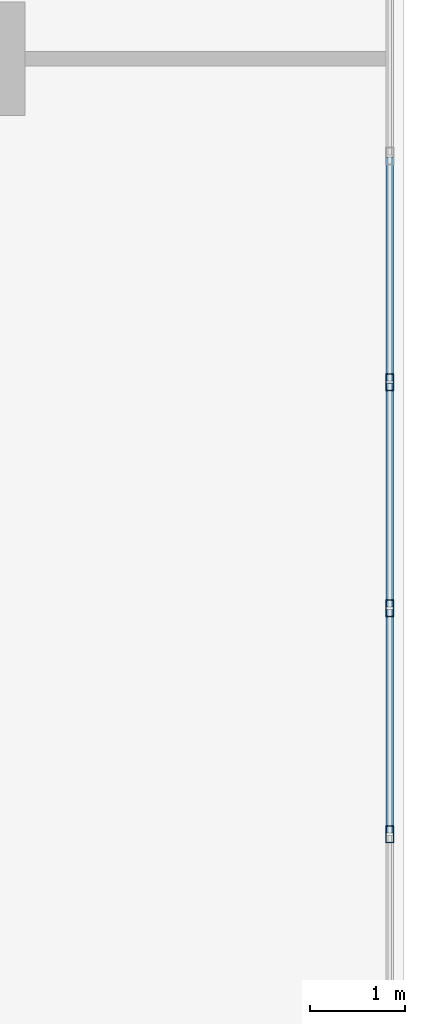
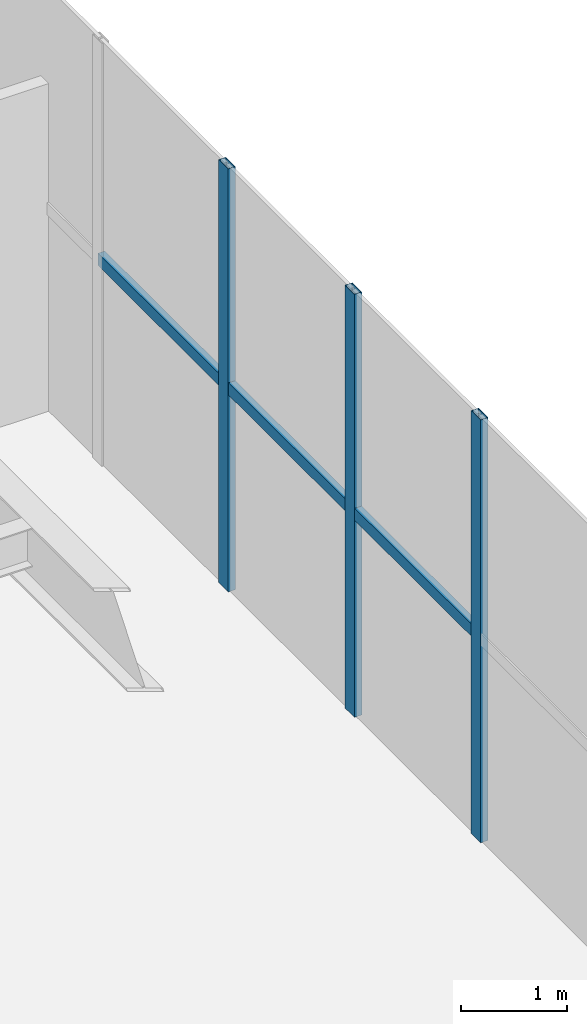
# One storey, part 24 of 40: 6 members, 1 element without a shape of its own.
"""IFC4 building model written with IfcOpenShell, lengths in metres."""

from ifc_helpers import new_model, si_unit, direction, frame, origin, origin_2d, place, context, subcontext, project, spatial, hollow_rectangle, extrude, source, transform, mapped, material, material_profile, profile_set, type_object, element, aggregate, save


model = new_model("IFC4")

# Units and contexts
model_context = context("Model", 3, precision=1e-05, world=origin(), true_north=direction((0.0, 1.0)))
body_context = subcontext(model_context, "Body", "Model", "MODEL_VIEW")
ifc_project = project(units=[si_unit("LENGTHUNIT", "METRE"), si_unit("AREAUNIT", "SQUARE_METRE"), si_unit("VOLUMEUNIT", "CUBIC_METRE"), si_unit("PLANEANGLEUNIT", "RADIAN"), si_unit("MASSUNIT", "GRAM", prefix="KILO")], contexts=[model_context])

# Site, building, storey
site_placement = place(None, origin())
site = spatial("IfcSite", under=ifc_project, at=site_placement, CompositionType="ELEMENT")
building_placement = place(site_placement, origin())
building = spatial("IfcBuilding", under=site, at=building_placement, Name="Trelvane Seafront Commons", CompositionType="ELEMENT")
storey_placement = place(building_placement, origin())
storey = spatial("IfcBuildingStorey", under=building, at=storey_placement, Name="L00", CompositionType="ELEMENT", Elevation=0.0)

# Curtain wall, members
ifc_material = material(Name="Anodised pale-silver aluminium", Category="aluminium")
curtain_wall_type = type_object("IfcCurtainWallType", Name="ARCH-CW4-SKYLOBBY", PredefinedType="NOTDEFINED", material=ifc_material)
curtain_wall_placement = place(storey_placement, origin())
curtain_wall = element("IfcCurtainWall", 1, at=curtain_wall_placement, inside=storey, type_object=curtain_wall_type, Name="CW-L00-0005", PredefinedType="NOTDEFINED")
ifc_material_profile_1 = material_profile(ifc_material, hollow_rectangle(XDim=0.080078125, YDim=0.179931640625, WallThickness=0.00439453125, at=origin_2d()), Name="MULL-80x180x4.5")
ifc_profile_set_1 = profile_set([ifc_material_profile_1], Name="Anodised pale-silver aluminium")
member_type_1 = type_object("IfcMemberType", Name="ARCH-CW-MULL-180", PredefinedType="MULLION", material=ifc_profile_set_1)
shared_shape_1 = source(origin(), body_context, "Body", "SweptSolid", [
    extrude(hollow_rectangle(XDim=0.080078125, YDim=0.179931640625, WallThickness=0.00439453125, at=origin_2d()), origin(), (0.0, 0.0, 1.0), 4.8798828125),
])
member_1_placement = place(storey_placement, frame((76.449951171875, 29.987060546875, 0.0), z_axis=(0.0, 0.0, 1.0), x_axis=(1.0, 0.0, 0.0)))
member_1 = element("IfcMember", 2, at=member_1_placement, type_object=member_type_1, Name="CW-L00-0005-M09", PredefinedType="MULLION", context=body_context, shape_type="MappedRepresentation", body=[
    mapped(shared_shape_1, transform((0.0, 0.0, 0.0), x_axis=(1.0, 0.0, 0.0), y_axis=(0.0, 1.0, 0.0), z_axis=(0.0, 0.0, 1.0), scale=1.0)),
])
member_2_placement = place(storey_placement, frame((76.449951171875, 27.60009765625, 0.0), z_axis=(0.0, 0.0, 1.0), x_axis=(1.0, 0.0, 0.0)))
member_2 = element("IfcMember", 3, at=member_2_placement, type_object=member_type_1, Name="CW-L00-0005-M10", PredefinedType="MULLION", context=body_context, shape_type="MappedRepresentation", body=[
    mapped(shared_shape_1, transform((0.0, 0.0, 0.0), x_axis=(1.0, 0.0, 0.0), y_axis=(0.0, 1.0, 0.0), z_axis=(0.0, 0.0, 1.0), scale=1.0)),
])
member_3_placement = place(storey_placement, frame((76.449951171875, 25.212890625, 0.0), z_axis=(0.0, 0.0, 1.0), x_axis=(1.0, 0.0, 0.0)))
member_3 = element("IfcMember", 4, at=member_3_placement, type_object=member_type_1, Name="CW-L00-0005-M11", PredefinedType="MULLION", context=body_context, shape_type="MappedRepresentation", body=[
    mapped(shared_shape_1, transform((0.0, 0.0, 0.0), x_axis=(1.0, 0.0, 0.0), y_axis=(0.0, 1.0, 0.0), z_axis=(0.0, 0.0, 1.0), scale=1.0)),
])
ifc_material_profile_2 = material_profile(ifc_material, hollow_rectangle(XDim=0.074951171875, YDim=0.139892578125, WallThickness=0.00390625, at=origin_2d()), Name="TRAN-75x140x4")
ifc_profile_set_2 = profile_set([ifc_material_profile_2], Name="Anodised pale-silver aluminium")
member_type_2 = type_object("IfcMemberType", Name="ARCH-CW-TRAN-140", PredefinedType="USERDEFINED", material=ifc_profile_set_2)
shared_shape_2 = source(origin(), body_context, "Body", "SweptSolid", [
    extrude(hollow_rectangle(XDim=0.074951171875, YDim=0.139892578125, WallThickness=0.00390625, at=origin_2d()), origin(), (0.0, 0.0, 1.0), 2.363037109375),
])
member_4_placement = place(storey_placement, frame((76.449951171875, 32.362060546875, 2.342041015625), z_axis=(0.0, -1.0, 0.0), x_axis=(1.0, 0.0, 0.0)))
member_4 = element("IfcMember", 5, at=member_4_placement, type_object=member_type_2, Name="CW-L00-0005-T08", ObjectType="TRANSOM", PredefinedType="USERDEFINED", context=body_context, shape_type="MappedRepresentation", body=[
    mapped(shared_shape_2, transform((0.0, 0.0, 0.0), x_axis=(1.0, 0.0, 0.0), y_axis=(0.0, 1.0, 0.0), z_axis=(0.0, 0.0, 1.0), scale=1.0)),
])
member_5_placement = place(storey_placement, frame((76.449951171875, 29.97509765625, 2.342041015625), z_axis=(0.0, -1.0, 0.0), x_axis=(1.0, 0.0, 0.0)))
member_5 = element("IfcMember", 6, at=member_5_placement, type_object=member_type_2, Name="CW-L00-0005-T09", ObjectType="TRANSOM", PredefinedType="USERDEFINED", context=body_context, shape_type="MappedRepresentation", body=[
    mapped(shared_shape_2, transform((0.0, 0.0, 0.0), x_axis=(1.0, 0.0, 0.0), y_axis=(0.0, 1.0, 0.0), z_axis=(0.0, 0.0, 1.0), scale=1.0)),
])
shared_shape_3 = source(origin(), body_context, "Body", "SweptSolid", [
    extrude(hollow_rectangle(XDim=0.074951171875, YDim=0.139892578125, WallThickness=0.00390625, at=origin_2d()), origin(), (0.0, 0.0, 1.0), 2.36279296875),
])
member_6_placement = place(storey_placement, frame((76.449951171875, 27.587890625, 2.342041015625), z_axis=(0.0, -1.0, 0.0), x_axis=(1.0, 0.0, 0.0)))
member_6 = element("IfcMember", 7, at=member_6_placement, type_object=member_type_2, Name="CW-L00-0005-T10", ObjectType="TRANSOM", PredefinedType="USERDEFINED", context=body_context, shape_type="MappedRepresentation", body=[
    mapped(shared_shape_3, transform((0.0, 0.0, 0.0), x_axis=(1.0, 0.0, 0.0), y_axis=(0.0, 1.0, 0.0), z_axis=(0.0, 0.0, 1.0), scale=1.0)),
])
aggregate(curtain_wall, [member_1, member_2, member_3, member_4, member_5, member_6])

save(model, "model.ifc")
